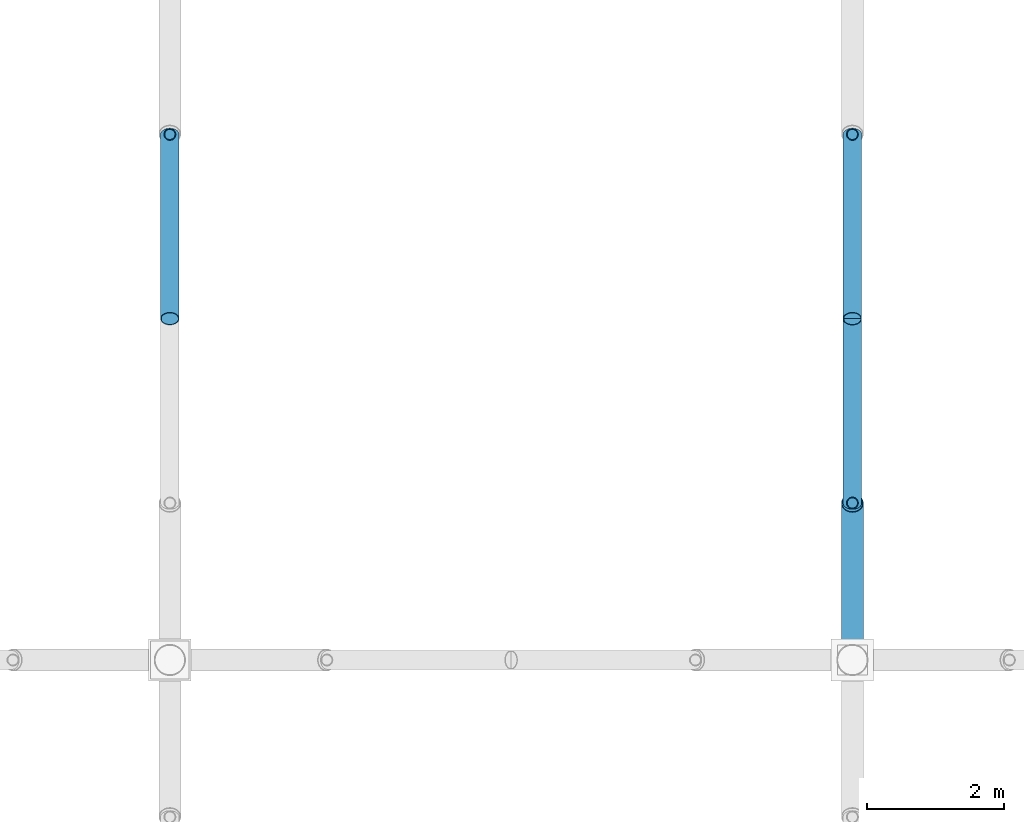
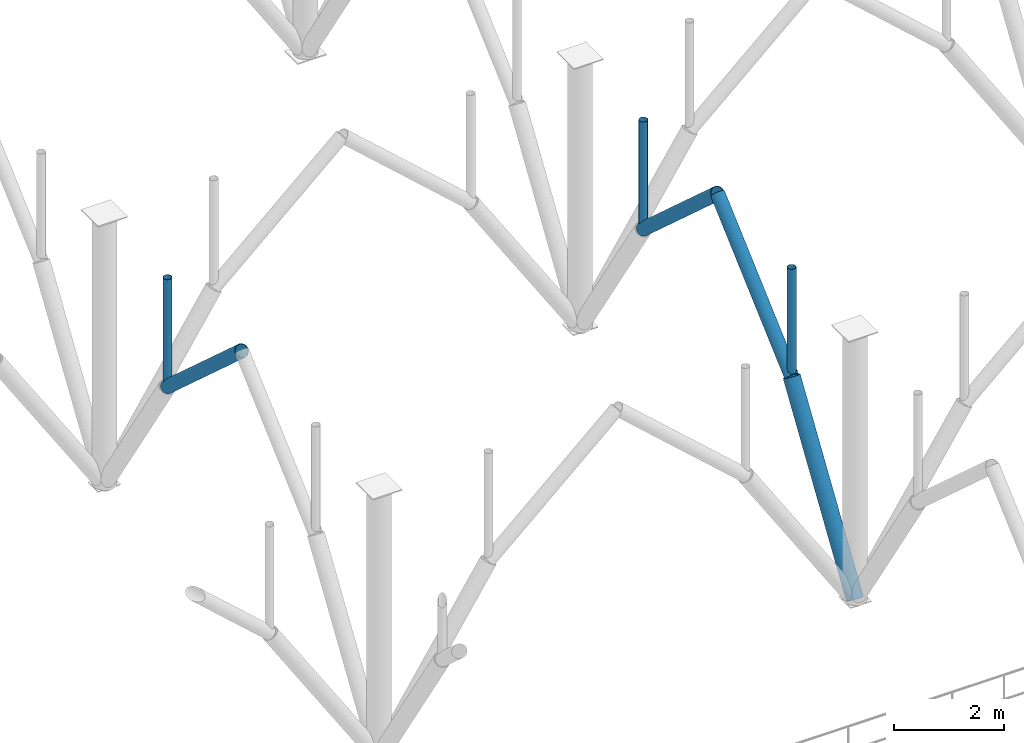
# One storey, part 42 of 109: 7 members.
"""IFC4 building model written with IfcOpenShell, lengths in metres."""

from ifc_helpers import new_model, si_unit, derived_unit, direction, frame, origin, origin_2d_with_axis, place, context, subcontext, project, spatial, hollow_circle, extrude, material, material_profile, profile_set, type_object, element, save


model = new_model("IFC4")

# Units and contexts
model_context = context("Model", 3, precision=1e-05, world=origin(), true_north=direction((0.0, 1.0)))
body_context = subcontext(model_context, "Body", "Model", "MODEL_VIEW")
ifc_project = project(units=[si_unit("LENGTHUNIT", "METRE"), si_unit("AREAUNIT", "SQUARE_METRE"), si_unit("VOLUMEUNIT", "CUBIC_METRE"), si_unit("PLANEANGLEUNIT", "RADIAN"), si_unit("MASSUNIT", "GRAM", prefix="KILO"), derived_unit("THERMALTRANSMITTANCEUNIT", [(si_unit("POWERUNIT", "WATT"), 1), (si_unit("LENGTHUNIT", "METRE"), -2), (si_unit("THERMODYNAMICTEMPERATUREUNIT", "KELVIN"), -1)])], contexts=[model_context])

# Site, building, storey
site_placement = place(None, origin())
site = spatial("IfcSite", under=ifc_project, at=site_placement, CompositionType="ELEMENT")
building_placement = place(site_placement, origin())
building = spatial("IfcBuilding", under=site, at=building_placement, Name="Cinnabar Yard Market Hall", CompositionType="ELEMENT")
storey_placement = place(building_placement, frame((0.0, 0.0, 8.39990234375)))
storey = spatial("IfcBuildingStorey", under=building, at=storey_placement, Name="L02", CompositionType="ELEMENT", Elevation=8.39990234375)

# Members
ifc_material_1 = material(Name="Spotted-gum glulam-clad steel Grade 350 (350 MPa)", Category="steel")
ifc_material_profile_1 = material_profile(ifc_material_1, hollow_circle(Radius=0.136474609375, WallThickness=0.00927734375, at=origin_2d_with_axis()), Name="273.1x9.3CHS")
ifc_profile_set_1 = profile_set([ifc_material_profile_1], Name="Spotted-gum glulam-clad steel Grade 350 (350 MPa)")
member_type_1 = type_object("IfcMemberType", Name="MB-AR01", PredefinedType="USERDEFINED", material=ifc_profile_set_1)
for number, where, z_axis, x_axis, name in (
    (1, (116.0, 41.699951171875, 3.550048828125), (0.0, -0.743297488271, 0.668961018244), (1.0, 0.0, 0.0), "Pointed Arch Rib 0074"),
    (2, (126.0, 36.300048828125, 3.550048828125), (0.0, 0.743297488271, 0.668961018244), (-1.0, 0.0, 0.0), "Pointed Arch Rib 0087"),
    (3, (126.0, 41.699951171875, 3.550048828125), (0.0, -0.743297488271, 0.668961018244), (1.0, 0.0, 0.0), "Pointed Arch Rib 0092"),
):
    element("IfcMember", number, at=place(storey_placement, frame(where, z_axis=z_axis, x_axis=x_axis)), inside=storey, type_object=member_type_1, Name=name, ObjectType="ARCH RIB", PredefinedType="USERDEFINED", context=body_context, shape_type="SweptSolid", body=[
        extrude(hollow_circle(Radius=0.136474609375, WallThickness=0.00927734375, at=origin_2d_with_axis()), origin(), (0.0, 0.0, 1.0), 3.63232421875),
    ])
ifc_material_profile_2 = material_profile(ifc_material_1, hollow_circle(Radius=0.161865234375, WallThickness=0.009521484375, at=origin_2d_with_axis()), Name="323.9x9.5CHS")
ifc_profile_set_2 = profile_set([ifc_material_profile_2], Name="Spotted-gum glulam-clad steel Grade 350 (350 MPa)")
member_type_2 = type_object("IfcMemberType", Name="MB-ST01", PredefinedType="STRUT", material=ifc_profile_set_2)
member_placement = place(storey_placement, frame((126.0, 34.0, 0.0), z_axis=(0.0, 0.543744165176, 0.839251024925), x_axis=(-1.0, 0.0, 0.0)))
element("IfcMember", 4, at=member_placement, inside=storey, type_object=member_type_2, Name="Curved Branch Arm Lower 0087", PredefinedType="STRUT", context=body_context, shape_type="SweptSolid", body=[
    extrude(hollow_circle(Radius=0.161865234375, WallThickness=0.009521484375, at=origin_2d_with_axis()), origin(), (0.0, 0.0, 1.0), 4.22998046875),
])
ifc_material_2 = material(Name="Cold-formed steel C350L0", Category="steel")
ifc_material_profile_3 = material_profile(ifc_material_2, hollow_circle(Radius=0.084228515625, WallThickness=0.00634765625, at=origin_2d_with_axis()), Name="168.3x6.4CHS")
ifc_profile_set_3 = profile_set([ifc_material_profile_3], Name="Cold-formed steel C350L0")
member_type_3 = type_object("IfcMemberType", Name="MB-WB01", PredefinedType="STRUT", material=ifc_profile_set_3)
for number, where, z_axis, x_axis, name in (
    (5, (116.0, 41.699951171875, 3.550048828125), (0.0, 0.0, 1.0), (1.0, 0.0, 0.0), "Arch Spandrel Post 0074"),
    (6, (126.0, 36.300048828125, 3.550048828125), (0.0, 0.0, 1.0), (1.0, 0.0, 0.0), "Arch Spandrel Post 0087"),
    (7, (126.0, 41.699951171875, 3.550048828125), (0.0, 0.0, 1.0), (1.0, 0.0, 0.0), "Arch Spandrel Post 0092"),
):
    element("IfcMember", number, at=place(storey_placement, frame(where, z_axis=z_axis, x_axis=x_axis)), inside=storey, type_object=member_type_3, Name=name, PredefinedType="STRUT", context=body_context, shape_type="SweptSolid", body=[
        extrude(hollow_circle(Radius=0.084228515625, WallThickness=0.00634765625, at=origin_2d_with_axis()), origin(), (0.0, 0.0, 1.0), 2.429931640625),
    ])

save(model, "model.ifc")
